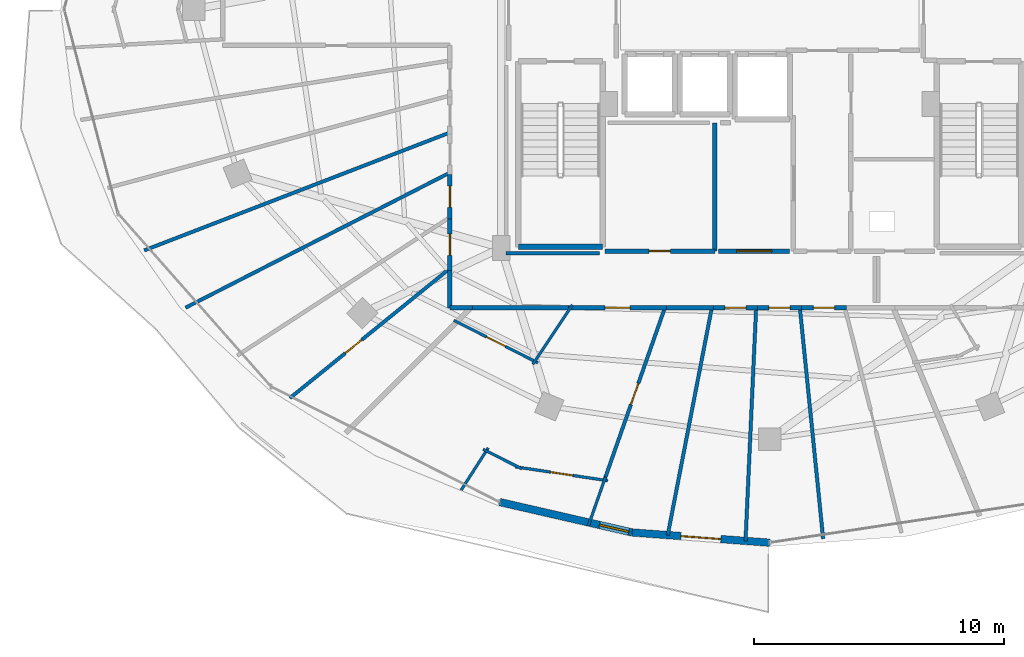
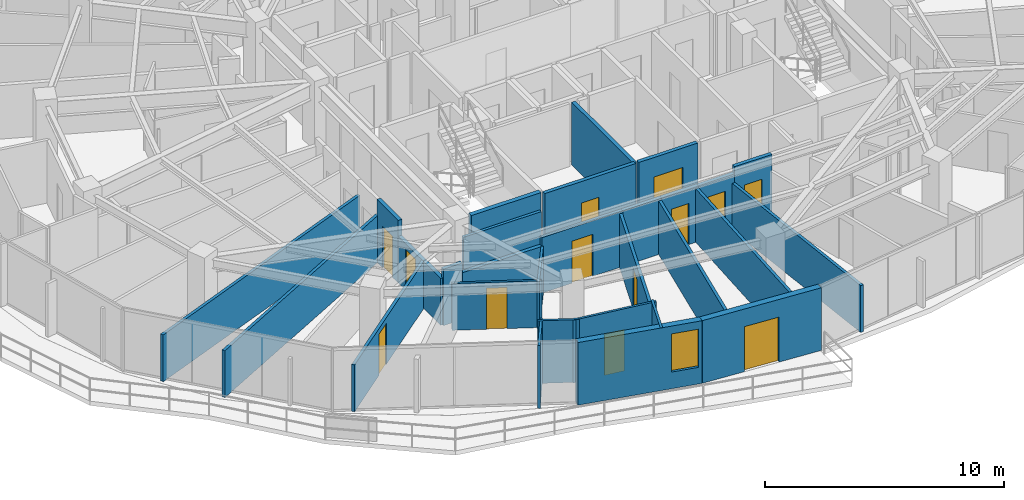
# One storey, part 24 of 33: 30 walls, 13 doors, 1 window, 14 openings.
"""IFC4 building model written with IfcOpenShell, lengths in metres."""

from ifc_helpers import new_model, si_unit, direction, frame, frame_2d, origin, place, context, subcontext, project, spatial, rectangle, extrude, material, layer, layer_set, type_object, element, fill, save


model = new_model("IFC4")

# Units and contexts
model_context = context("Model", 3, precision=1e-05, world=origin(), true_north=direction((0.0, 1.0)))
body_context = subcontext(model_context, "Body", "Model", "MODEL_VIEW")
ifc_project = project(units=[si_unit("LENGTHUNIT", "METRE"), si_unit("AREAUNIT", "SQUARE_METRE"), si_unit("VOLUMEUNIT", "CUBIC_METRE"), si_unit("PLANEANGLEUNIT", "RADIAN"), si_unit("MASSUNIT", "GRAM", prefix="KILO")], contexts=[model_context])

# Site, building, storey
site_placement = place(None, origin())
site = spatial("IfcSite", under=ifc_project, at=site_placement, CompositionType="ELEMENT")
building_placement = place(site_placement, origin())
building = spatial("IfcBuilding", under=site, at=building_placement, Name="Vorneva Point Tower", CompositionType="ELEMENT")
storey_placement = place(building_placement, frame((0.0, 0.0, 221.39990234375)))
storey = spatial("IfcBuildingStorey", under=building, at=storey_placement, Name="L60", CompositionType="ELEMENT", Elevation=221.39990234375)

# Wall, opening, window
ifc_material_1 = material(Name="Precast concrete B50 (C40/50)", Category="concrete")
ifc_layer_1 = layer(ifc_material_1, 0.300048828125)
ifc_layer_set_1 = layer_set([ifc_layer_1], Name="Precast concrete B50 (C40/50)")
wall_type_1 = type_object("IfcWallType", Name="WL-EXT-300", PredefinedType="STANDARD", material=ifc_layer_set_1)
wall_1_placement = place(storey_placement, frame((27.19677734375, 6.275146484375, 0.0), z_axis=(0.0, 0.0, 1.0), x_axis=(0.974684194578, -0.223586047954, 0.0)))
wall_1 = element("IfcWall", 1, at=wall_1_placement, inside=storey, type_object=wall_type_1, Name="L60 Pale-Metal Facade Spandrel Wall 12.1", PredefinedType="STANDARD", context=body_context, shape_type="SweptSolid", body=[
    extrude(rectangle(XDim=5.433349609375, YDim=0.300048828125, at=frame_2d((2.716796875, 0.0))), origin(), (0.0, 0.0, 1.0), 3.2001953125),
])
opening_1_placement = place(wall_1_placement, frame((4.093505859375, 0.0, 0.85009765625)))
opening_1 = element("IfcOpeningElement", 2, at=opening_1_placement, cuts=wall_1, Name="Opening W-04", PredefinedType="OPENING", context=body_context, shape_type="SweptSolid", body=[
    extrude(rectangle(XDim=1.199951171875, YDim=1.949951171875, at=frame_2d((0.60009765625, 0.97509765625))), frame((0.0, 0.1650390625, 0.0), z_axis=(0.0, -1.0, 0.0), x_axis=(1.0, 0.0, 0.0)), (0.0, 0.0, 1.0), 0.329833984375),
])
ifc_material_2 = material(Name="Double low-e laminated glass IGU", Category="glass")
window_type = type_object("IfcWindowType", Name="WN-RES-1200", PartitioningType="SINGLE_PANEL", PredefinedType="WINDOW", material=ifc_material_2)
window_placement = place(opening_1_placement, origin())
window = element("IfcWindow", 3, at=window_placement, inside=storey, type_object=window_type, Name="L60 Dwelling Vision Window 05", OverallHeight=1.949951171875, OverallWidth=1.199951171875, PartitioningType="SINGLE_PANEL", PredefinedType="WINDOW", context=body_context, shape_type="SweptSolid", body=[
    extrude(rectangle(XDim=1.199951171875, YDim=1.949951171875, at=frame_2d((0.60009765625, 0.97509765625))), frame((0.0, 0.030029296875, 0.0), z_axis=(0.0, -1.0, 0.0), x_axis=(1.0, 0.0, 0.0)), (0.0, 0.0, 1.0), 0.06005859375),
])
fill(opening_1, window)

# Wall, opening, door
wall_2_placement = place(storey_placement, frame((32.49267578125, 5.060302734375, 0.0), z_axis=(0.0, 0.0, 1.0), x_axis=(0.997234968529, -0.074312970214, 0.0)))
wall_2 = element("IfcWall", 4, at=wall_2_placement, inside=storey, type_object=wall_type_1, Name="L60 Pale-Metal Facade Spandrel Wall 12.2", PredefinedType="STANDARD", context=body_context, shape_type="SweptSolid", body=[
    extrude(rectangle(XDim=5.522705078125, YDim=0.300048828125, at=frame_2d((2.76123046875, 0.0))), origin(), (0.0, 0.0, 1.0), 3.2001953125),
])
opening_2_placement = place(wall_2_placement, frame((1.961181640625, 0.0, 0.0)))
opening_2 = element("IfcOpeningElement", 5, at=opening_2_placement, cuts=wall_2, Name="Opening BD-01", PredefinedType="OPENING", context=body_context, shape_type="SweptSolid", body=[
    extrude(rectangle(XDim=1.60009765625, YDim=2.300048828125, at=frame_2d((0.800048828125, 1.14990234375))), frame((0.0, 0.1650390625, 0.0), z_axis=(0.0, -1.0, 0.0), x_axis=(1.0, 0.0, 0.0)), (0.0, 0.0, 1.0), 0.329833984375),
])
ifc_material_3 = material(Name="Pale anodised aluminium", Category="aluminium")
door_type_1 = type_object("IfcDoorType", Name="DR-BAL-1600", OperationType="SLIDING_TO_LEFT", PredefinedType="DOOR", material=ifc_material_3)
door_1_placement = place(opening_2_placement, origin())
door_1 = element("IfcDoor", 6, at=door_1_placement, inside=storey, type_object=door_type_1, Name="L60 Balcony Terrace Access Door 12", OperationType="SLIDING_TO_LEFT", OverallHeight=2.300048828125, OverallWidth=1.60009765625, PredefinedType="DOOR", context=body_context, shape_type="SweptSolid", body=[
    extrude(rectangle(XDim=1.60009765625, YDim=2.300048828125, at=frame_2d((0.800048828125, 1.14990234375))), frame((0.0, 0.02490234375, 0.0), z_axis=(0.0, -1.0, 0.0), x_axis=(1.0, 0.0, 0.0)), (0.0, 0.0, 1.0), 0.050048828125),
])
fill(opening_2, door_1)

# Wall
ifc_material_4 = material(Name="Fire-rated acoustic gypsum stud partition", Category="gypsum")
ifc_layer_2 = layer(ifc_material_4, 0.110107421875)
ifc_layer_set_2 = layer_set([ifc_layer_2], Name="Fire-rated acoustic gypsum stud partition")
wall_type_2 = type_object("IfcWallType", Name="WL-PART-110", PredefinedType="PARTITIONING", material=ifc_layer_set_2)
wall_3_placement = place(storey_placement, frame((30.103759765625, 14.16650390625, 0.0), z_axis=(0.0, 0.0, 1.0), x_axis=(-0.555055621343, -0.831813234576, 0.0)))
element("IfcWall", 7, at=wall_3_placement, inside=storey, type_object=wall_type_2, Name="L60 Interior Partition 135", PredefinedType="PARTITIONING", context=body_context, shape_type="SweptSolid", body=[
    extrude(rectangle(XDim=2.852783203125, YDim=0.110107421875, at=frame_2d((1.42626953125, 0.0))), origin(), (0.0, 0.0, 1.0), 2.39208984375),
])

# Wall, opening, door
wall_4_placement = place(storey_placement, frame((28.722900390625, 11.8466796875, 0.0), z_axis=(0.0, 0.0, 1.0), x_axis=(-0.892449406128, 0.451147489743, 0.0)))
wall_4 = element("IfcWall", 8, at=wall_4_placement, inside=storey, type_object=wall_type_2, Name="L60 Interior Partition 136", PredefinedType="PARTITIONING", context=body_context, shape_type="SweptSolid", body=[
    extrude(rectangle(XDim=3.76904296875, YDim=0.110107421875, at=frame_2d((1.884521484375, 0.0))), origin(), (0.0, 0.0, 1.0), 2.39208984375),
])
opening_3_placement = place(wall_4_placement, frame((1.459716796875, 0.0, 0.0)))
opening_3 = element("IfcOpeningElement", 9, at=opening_3_placement, cuts=wall_4, Name="Opening ID-02", PredefinedType="OPENING", context=body_context, shape_type="SweptSolid", body=[
    extrude(rectangle(XDim=0.85009765625, YDim=2.10009765625, at=frame_2d((0.425048828125, 1.050048828125))), frame((0.0, 0.06982421875, 0.0), z_axis=(0.0, -1.0, 0.0), x_axis=(1.0, 0.0, 0.0)), (0.0, 0.0, 1.0), 0.139892578125),
])
ifc_material_5 = material(Name="Engineered oak fire-rated door leaf", Category="wood")
door_type_2 = type_object("IfcDoorType", Name="DR-BATH-850", OperationType="NOTDEFINED", PredefinedType="DOOR", material=ifc_material_5)
door_2_placement = place(opening_3_placement, origin())
door_2 = element("IfcDoor", 10, at=door_2_placement, inside=storey, type_object=door_type_2, Name="L60 Door Living and Dining Room L60-04 / Bathroom L60-04", OperationType="SINGLE_SWING_RIGHT", OverallHeight=2.10009765625, OverallWidth=0.85009765625, PredefinedType="DOOR", context=body_context, shape_type="SweptSolid", body=[
    extrude(rectangle(XDim=0.85009765625, YDim=2.10009765625, at=frame_2d((0.425048828125, 1.050048828125))), frame((0.0, 0.02490234375, 0.0), z_axis=(0.0, -1.0, 0.0), x_axis=(1.0, 0.0, 0.0)), (0.0, 0.0, 1.0), 0.050048828125),
])
fill(opening_3, door_2)

# Wall
wall_5_placement = place(storey_placement, frame((26.531982421875, 8.38720703125, 0.0), z_axis=(0.0, 0.0, 1.0), x_axis=(0.892649776719, -0.450750902521, 0.0)))
element("IfcWall", 11, at=wall_5_placement, inside=storey, type_object=wall_type_2, Name="L60 Interior Partition 137", PredefinedType="PARTITIONING", context=body_context, shape_type="SweptSolid", body=[
    extrude(rectangle(XDim=1.737548828125, YDim=0.110107421875, at=frame_2d((0.86865234375, 0.0))), origin(), (0.0, 0.0, 1.0), 3.2001953125),
])

# Wall, opening, door
wall_6_placement = place(storey_placement, frame((27.819580078125, 7.687744140625, 0.0), z_axis=(0.0, 0.0, 1.0), x_axis=(0.988870202363, -0.148780788002, 0.0)))
wall_6 = element("IfcWall", 12, at=wall_6_placement, inside=storey, type_object=wall_type_2, Name="L60 Interior Partition 138", PredefinedType="PARTITIONING", context=body_context, shape_type="SweptSolid", body=[
    extrude(rectangle(XDim=3.741455078125, YDim=0.110107421875, at=frame_2d((1.87060546875, 0.0))), origin(), (0.0, 0.0, 1.0), 3.2001953125),
])
opening_4_placement = place(wall_6_placement, frame((1.420654296875, 0.0, 0.0)))
opening_4 = element("IfcOpeningElement", 13, at=opening_4_placement, cuts=wall_6, Name="Opening ID-01", PredefinedType="OPENING", context=body_context, shape_type="SweptSolid", body=[
    extrude(rectangle(XDim=0.89990234375, YDim=2.10009765625, at=frame_2d((0.449951171875, 1.050048828125))), frame((0.0, 0.06982421875, 0.0), z_axis=(0.0, -1.0, 0.0), x_axis=(1.0, 0.0, 0.0)), (0.0, 0.0, 1.0), 0.139892578125),
])
door_type_3 = type_object("IfcDoorType", Name="DR-ROOM-900", OperationType="NOTDEFINED", PredefinedType="DOOR", material=ifc_material_5)
door_3_placement = place(opening_4_placement, origin())
door_3 = element("IfcDoor", 14, at=door_3_placement, inside=storey, type_object=door_type_3, Name="L60 Door Living and Dining Room L60-04 / Kitchen L60-04", OperationType="SINGLE_SWING_LEFT", OverallHeight=2.10009765625, OverallWidth=0.89990234375, PredefinedType="DOOR", context=body_context, shape_type="SweptSolid", body=[
    extrude(rectangle(XDim=0.89990234375, YDim=2.10009765625, at=frame_2d((0.449951171875, 1.050048828125))), frame((0.0, 0.02490234375, 0.0), z_axis=(0.0, -1.0, 0.0), x_axis=(1.0, 0.0, 0.0)), (0.0, 0.0, 1.0), 0.050048828125),
])
fill(opening_4, door_3)

# Walls
wall_7_placement = place(storey_placement, frame((25.6494140625, 6.753173828125, 0.0), z_axis=(0.0, 0.0, 1.0), x_axis=(0.539927041948, 0.841711820859, 0.0)))
element("IfcWall", 15, at=wall_7_placement, inside=storey, type_object=wall_type_2, Name="L60 Interior Partition 139", PredefinedType="PARTITIONING", context=body_context, shape_type="SweptSolid", body=[
    extrude(rectangle(XDim=2.00634765625, YDim=0.110107421875, at=frame_2d((1.003173828125, 0.0))), origin(), (0.0, 0.0, 1.0), 3.2001953125),
])
wall_8_placement = place(storey_placement, frame((30.737548828125, 5.32080078125, 0.0), z_axis=(0.0, 0.0, 1.0), x_axis=(0.33153115085, 0.943444272872, 0.0)))
element("IfcWall", 16, at=wall_8_placement, inside=storey, type_object=wall_type_2, Name="L60 Interior Partition 141", PredefinedType="PARTITIONING", context=body_context, shape_type="SweptSolid", body=[
    extrude(rectangle(XDim=2.0810546875, YDim=0.110107421875, at=frame_2d((1.04052734375, 0.0))), origin(), (0.0, 0.0, 1.0), 3.2001953125),
])
ifc_layer_3 = layer(ifc_material_4, 0.139892578125)
ifc_layer_set_3 = layer_set([ifc_layer_3], Name="Fire-rated acoustic gypsum stud partition")
wall_type_3 = type_object("IfcWallType", Name="WL-PART-140", PredefinedType="PARTITIONING", material=ifc_layer_set_3)
wall_9_placement = place(storey_placement, frame((12.968017578125, 16.347900390625, 0.0), z_axis=(0.0, 0.0, 1.0), x_axis=(0.933027024267, 0.35980629787, 0.0)))
element("IfcWall", 17, at=wall_9_placement, inside=storey, type_object=wall_type_3, Name="L60 Interior Partition 130", PredefinedType="PARTITIONING", context=body_context, shape_type="SweptSolid", body=[
    extrude(rectangle(XDim=13.10986328125, YDim=0.139892578125, at=frame_2d((6.554931640625, 0.0))), origin(), (0.0, 0.0, 1.0), 2.39208984375),
])
wall_10_placement = place(storey_placement, frame((14.623046875, 14.055908203125, 0.0), z_axis=(0.0, 0.0, 1.0), x_axis=(0.890500200784, 0.454982848472, 0.0)))
element("IfcWall", 18, at=wall_10_placement, inside=storey, type_object=wall_type_3, Name="L60 Interior Partition 131", PredefinedType="PARTITIONING", context=body_context, shape_type="SweptSolid", body=[
    extrude(rectangle(XDim=11.87744140625, YDim=0.139892578125, at=frame_2d((5.938720703125, 0.0))), origin(), (0.0, 0.0, 1.0), 2.39208984375),
])

# Wall, opening, door
wall_11_placement = place(storey_placement, frame((18.7958984375, 10.43701171875, 0.0), z_axis=(0.0, 0.0, 1.0), x_axis=(0.776906100203, 0.629616479666, 0.0)))
wall_11 = element("IfcWall", 19, at=wall_11_placement, inside=storey, type_object=wall_type_3, Name="L60 Interior Partition 133", PredefinedType="PARTITIONING", context=body_context, shape_type="SweptSolid", body=[
    extrude(rectangle(XDim=8.242919921875, YDim=0.139892578125, at=frame_2d((4.12158203125, 0.0))), origin(), (0.0, 0.0, 1.0), 2.39208984375),
])
opening_5_placement = place(wall_11_placement, frame((2.8564453125, 0.0, 0.0)))
opening_5 = element("IfcOpeningElement", 20, at=opening_5_placement, cuts=wall_11, Name="Opening ID-02", PredefinedType="OPENING", context=body_context, shape_type="SweptSolid", body=[
    extrude(rectangle(XDim=0.85009765625, YDim=2.10009765625, at=frame_2d((0.425048828125, 1.050048828125))), frame((0.0, 0.0849609375, 0.0), z_axis=(0.0, -1.0, 0.0), x_axis=(1.0, 0.0, 0.0)), (0.0, 0.0, 1.0), 0.169677734375),
])
door_4_placement = place(opening_5_placement, origin())
door_4 = element("IfcDoor", 21, at=door_4_placement, inside=storey, type_object=door_type_2, Name="L60 Access Door Bedroom L60-03.6", OperationType="SINGLE_SWING_LEFT", OverallHeight=2.10009765625, OverallWidth=0.85009765625, PredefinedType="DOOR", context=body_context, shape_type="SweptSolid", body=[
    extrude(rectangle(XDim=0.85009765625, YDim=2.10009765625, at=frame_2d((0.425048828125, 1.050048828125))), frame((0.0, 0.02490234375, 0.0), z_axis=(0.0, -1.0, 0.0), x_axis=(1.0, 0.0, 0.0)), (0.0, 0.0, 1.0), 0.050048828125),
])
fill(opening_5, door_4)

wall_12_placement = place(storey_placement, frame((31.381103515625, 7.152099609375, 0.0), z_axis=(0.0, 0.0, 1.0), x_axis=(0.331275500224, 0.943534070901, 0.0)))
wall_12 = element("IfcWall", 22, at=wall_12_placement, inside=storey, type_object=wall_type_3, Name="L60 Interior Partition 140", PredefinedType="PARTITIONING", context=body_context, shape_type="SweptSolid", body=[
    extrude(rectangle(XDim=7.310791015625, YDim=0.139892578125, at=frame_2d((3.6552734375, 0.0))), origin(), (0.0, 0.0, 1.0), 2.734130859375),
])
opening_6_placement = place(wall_12_placement, frame((3.205322265625, 0.0, 0.0)))
opening_6 = element("IfcOpeningElement", 23, at=opening_6_placement, cuts=wall_12, Name="Opening ID-01", PredefinedType="OPENING", context=body_context, shape_type="SweptSolid", body=[
    extrude(rectangle(XDim=0.89990234375, YDim=2.10009765625, at=frame_2d((0.449951171875, 1.050048828125))), frame((0.0, 0.0849609375, 0.0), z_axis=(0.0, -1.0, 0.0), x_axis=(1.0, 0.0, 0.0)), (0.0, 0.0, 1.0), 0.169677734375),
])
door_5_placement = place(opening_6_placement, origin())
door_5 = element("IfcDoor", 24, at=door_5_placement, inside=storey, type_object=door_type_3, Name="L60 Door Living and Dining Room L60-04 / Master Bedroom L60-04.1", OperationType="SINGLE_SWING_RIGHT", OverallHeight=2.10009765625, OverallWidth=0.89990234375, PredefinedType="DOOR", context=body_context, shape_type="SweptSolid", body=[
    extrude(rectangle(XDim=0.89990234375, YDim=2.10009765625, at=frame_2d((0.449951171875, 1.050048828125))), frame((0.0, 0.02490234375, 0.0), z_axis=(0.0, -1.0, 0.0), x_axis=(1.0, 0.0, 0.0)), (0.0, 0.0, 1.0), 0.050048828125),
])
fill(opening_6, door_5)

# Walls
wall_13_placement = place(storey_placement, frame((33.9169921875, 4.955078125, 0.0), z_axis=(0.0, 0.0, 1.0), x_axis=(0.190396351082, 0.981707303372, 0.0)))
element("IfcWall", 25, at=wall_13_placement, inside=storey, type_object=wall_type_3, Name="L60 Interior Partition 142", PredefinedType="PARTITIONING", context=body_context, shape_type="SweptSolid", body=[
    extrude(rectangle(XDim=9.264404296875, YDim=0.139892578125, at=frame_2d((4.63232421875, 0.0))), origin(), (0.0, 0.0, 1.0), 2.734130859375),
])
wall_14_placement = place(storey_placement, frame((37.030029296875, 4.721923828125, 0.0), z_axis=(0.0, 0.0, 1.0), x_axis=(0.045519142468, 0.998963466634, 0.0)))
element("IfcWall", 26, at=wall_14_placement, inside=storey, type_object=wall_type_3, Name="L60 Interior Partition 143", PredefinedType="PARTITIONING", context=body_context, shape_type="SweptSolid", body=[
    extrude(rectangle(XDim=9.337890625, YDim=0.139892578125, at=frame_2d((4.6689453125, 0.0))), origin(), (0.0, 0.0, 1.0), 2.734130859375),
])
wall_15_placement = place(storey_placement, frame((40.136962890625, 4.81005859375, 0.0), z_axis=(0.0, 0.0, 1.0), x_axis=(-0.100344404998, 0.994952762892, 0.0)))
element("IfcWall", 27, at=wall_15_placement, inside=storey, type_object=wall_type_3, Name="L60 Interior Partition 144", PredefinedType="PARTITIONING", context=body_context, shape_type="SweptSolid", body=[
    extrude(rectangle(XDim=9.286865234375, YDim=0.139892578125, at=frame_2d((4.6435546875, 0.0))), origin(), (0.0, 0.0, 1.0), 2.39208984375),
])
wall_16_placement = place(storey_placement, frame((27.449951171875, 16.239990234375, 0.0), z_axis=(0.0, 0.0, 1.0), x_axis=(1.0, 0.0, 0.0)))
element("IfcWall", 28, at=wall_16_placement, inside=storey, type_object=wall_type_3, Name="L60 Interior Closure Partition 176", PredefinedType="PARTITIONING", context=body_context, shape_type="SweptSolid", body=[
    extrude(rectangle(XDim=3.7451171875, YDim=0.139892578125, at=frame_2d((1.87255859375, 0.0))), origin(), (0.0, 0.0, 1.0), 2.39208984375),
])
ifc_material_6 = material(Name="Autoclaved aerated concrete blockwork", Category="masonry")
ifc_layer_4 = layer(ifc_material_6, 0.179931640625)
ifc_layer_set_4 = layer_set([ifc_layer_4], Name="Autoclaved aerated concrete blockwork")
wall_type_4 = type_object("IfcWallType", Name="WL-PART-180", PredefinedType="PARTITIONING", material=ifc_layer_set_4)
wall_17_placement = place(storey_placement, frame((35.800048828125, 16.320068359375, 0.0), z_axis=(0.0, 0.0, 1.0), x_axis=(0.0, 1.0, 0.0)))
element("IfcWall", 29, at=wall_17_placement, inside=storey, type_object=wall_type_4, Name="L60 Interior Partition 027", PredefinedType="PARTITIONING", context=body_context, shape_type="SweptSolid", body=[
    extrude(rectangle(XDim=5.1298828125, YDim=0.179931640625, at=frame_2d((2.56494140625, 0.0))), origin(), (0.0, 0.0, 1.0), 3.2001953125),
])

# Wall, opening, door
wall_18_placement = place(storey_placement, frame((31.39990234375, 16.320068359375, 0.0), z_axis=(0.0, 0.0, 1.0), x_axis=(1.0, 0.0, 0.0)))
wall_18 = element("IfcWall", 30, at=wall_18_placement, inside=storey, type_object=wall_type_4, Name="L60 Interior Partition 028", PredefinedType="PARTITIONING", context=body_context, shape_type="SweptSolid", body=[
    extrude(rectangle(XDim=4.400146484375, YDim=0.179931640625, at=frame_2d((2.2001953125, 0.0))), origin(), (0.0, 0.0, 1.0), 3.2001953125),
])
opening_7_placement = place(wall_18_placement, frame((1.77490234375, 0.0, 0.0)))
opening_7 = element("IfcOpeningElement", 31, at=opening_7_placement, cuts=wall_18, Name="Opening ID-02", PredefinedType="OPENING", context=body_context, shape_type="SweptSolid", body=[
    extrude(rectangle(XDim=0.85009765625, YDim=2.10009765625, at=frame_2d((0.425048828125, 1.050048828125))), frame((0.0, 0.10498046875, 0.0), z_axis=(0.0, -1.0, 0.0), x_axis=(1.0, 0.0, 0.0)), (0.0, 0.0, 1.0), 0.209716796875),
])
door_6_placement = place(opening_7_placement, origin())
door_6 = element("IfcDoor", 32, at=door_6_placement, inside=storey, type_object=door_type_2, Name="L60 Door Bicycle Gear Store / L60 Circulation Corridor", OperationType="SINGLE_SWING_LEFT", OverallHeight=2.10009765625, OverallWidth=0.85009765625, PredefinedType="DOOR", context=body_context, shape_type="SweptSolid", body=[
    extrude(rectangle(XDim=0.85009765625, YDim=2.10009765625, at=frame_2d((0.425048828125, 1.050048828125))), frame((0.0, 0.02490234375, 0.0), z_axis=(0.0, -1.0, 0.0), x_axis=(1.0, 0.0, 0.0)), (0.0, 0.0, 1.0), 0.050048828125),
])
fill(opening_7, door_6)

wall_19_placement = place(storey_placement, frame((35.949951171875, 16.320068359375, 0.0), z_axis=(0.0, 0.0, 1.0), x_axis=(1.0, 0.0, 0.0)))
wall_19 = element("IfcWall", 33, at=wall_19_placement, inside=storey, type_object=wall_type_4, Name="L60 Interior Partition 029", PredefinedType="PARTITIONING", context=body_context, shape_type="SweptSolid", body=[
    extrude(rectangle(XDim=2.85009765625, YDim=0.179931640625, at=frame_2d((1.425048828125, 0.0))), origin(), (0.0, 0.0, 1.0), 3.2001953125),
])
opening_8_placement = place(wall_19_placement, frame((0.72509765625, 0.0, 0.0)))
opening_8 = element("IfcOpeningElement", 34, at=opening_8_placement, cuts=wall_19, Name="Opening FD-03", PredefinedType="OPENING", context=body_context, shape_type="SweptSolid", body=[
    extrude(rectangle(XDim=1.39990234375, YDim=2.199951171875, at=frame_2d((0.699951171875, 1.10009765625))), frame((0.0, 0.10498046875, 0.0), z_axis=(0.0, -1.0, 0.0), x_axis=(1.0, 0.0, 0.0)), (0.0, 0.0, 1.0), 0.209716796875),
])
ifc_material_7 = material(Name="Fire-rated powder-coated steel", Category="steel")
door_type_4 = type_object("IfcDoorType", Name="DR-PLT-1400", OperationType="DOUBLE_SWING_LEFT", PredefinedType="DOOR", material=ifc_material_7)
door_7_placement = place(opening_8_placement, origin())
door_7 = element("IfcDoor", 35, at=door_7_placement, inside=storey, type_object=door_type_4, Name="L60 Door Telecoms and Data Room / L60 Circulation Corridor", OperationType="DOUBLE_SWING_LEFT", OverallHeight=2.199951171875, OverallWidth=1.39990234375, PredefinedType="DOOR", context=body_context, shape_type="SweptSolid", body=[
    extrude(rectangle(XDim=1.39990234375, YDim=2.199951171875, at=frame_2d((0.699951171875, 1.10009765625))), frame((0.0, 0.02490234375, 0.0), z_axis=(0.0, -1.0, 0.0), x_axis=(1.0, 0.0, 0.0)), (0.0, 0.0, 1.0), 0.050048828125),
])
fill(opening_8, door_7)

wall_20_placement = place(storey_placement, frame((25.199951171875, 19.39306640625, 0.0), z_axis=(0.0, 0.0, 1.0), x_axis=(0.0, -1.0, 0.0)))
wall_20 = element("IfcWall", 36, at=wall_20_placement, inside=storey, type_object=wall_type_4, Name="L60 Interior Partition 057", PredefinedType="PARTITIONING", context=body_context, shape_type="SweptSolid", body=[
    extrude(rectangle(XDim=1.791015625, YDim=0.179931640625, at=frame_2d((0.8955078125, 0.0))), origin(), (0.0, 0.0, 1.0), 3.2001953125),
])
opening_9_placement = place(wall_20_placement, frame((0.470458984375, 0.0, 0.0)))
opening_9 = element("IfcOpeningElement", 37, at=opening_9_placement, cuts=wall_20, Name="Opening ID-02", PredefinedType="OPENING", context=body_context, shape_type="SweptSolid", body=[
    extrude(rectangle(XDim=0.85009765625, YDim=2.10009765625, at=frame_2d((0.425048828125, 1.050048828125))), frame((0.0, 0.10498046875, 0.0), z_axis=(0.0, -1.0, 0.0), x_axis=(1.0, 0.0, 0.0)), (0.0, 0.0, 1.0), 0.209716796875),
])
door_8_placement = place(opening_9_placement, origin())
door_8 = element("IfcDoor", 38, at=door_8_placement, inside=storey, type_object=door_type_2, Name="L60 Access Door L60 Circulation Corridor", OperationType="SINGLE_SWING_LEFT", OverallHeight=2.10009765625, OverallWidth=0.85009765625, PredefinedType="DOOR", context=body_context, shape_type="SweptSolid", body=[
    extrude(rectangle(XDim=0.85009765625, YDim=2.10009765625, at=frame_2d((0.425048828125, 1.050048828125))), frame((0.0, 0.02490234375, 0.0), z_axis=(0.0, -1.0, 0.0), x_axis=(1.0, 0.0, 0.0)), (0.0, 0.0, 1.0), 0.050048828125),
])
fill(opening_9, door_8)

wall_21_placement = place(storey_placement, frame((25.199951171875, 17.60205078125, 0.0), z_axis=(0.0, 0.0, 1.0), x_axis=(0.0, -1.0, 0.0)))
wall_21 = element("IfcWall", 39, at=wall_21_placement, inside=storey, type_object=wall_type_4, Name="L60 Interior Partition 058", PredefinedType="PARTITIONING", context=body_context, shape_type="SweptSolid", body=[
    extrude(rectangle(XDim=2.052001953125, YDim=0.179931640625, at=frame_2d((1.02587890625, 0.0))), origin(), (0.0, 0.0, 1.0), 2.39208984375),
])
opening_10_placement = place(wall_21_placement, frame((0.60107421875, 0.0, 0.0)))
opening_10 = element("IfcOpeningElement", 40, at=opening_10_placement, cuts=wall_21, Name="Opening ID-02", PredefinedType="OPENING", context=body_context, shape_type="SweptSolid", body=[
    extrude(rectangle(XDim=0.85009765625, YDim=2.10009765625, at=frame_2d((0.425048828125, 1.050048828125))), frame((0.0, 0.10498046875, 0.0), z_axis=(0.0, -1.0, 0.0), x_axis=(1.0, 0.0, 0.0)), (0.0, 0.0, 1.0), 0.209716796875),
])
door_9_placement = place(opening_10_placement, origin())
door_9 = element("IfcDoor", 41, at=door_9_placement, inside=storey, type_object=door_type_2, Name="L60 Access Door L60 Circulation Corridor", OperationType="SINGLE_SWING_RIGHT", OverallHeight=2.10009765625, OverallWidth=0.85009765625, PredefinedType="DOOR", context=body_context, shape_type="SweptSolid", body=[
    extrude(rectangle(XDim=0.85009765625, YDim=2.10009765625, at=frame_2d((0.425048828125, 1.050048828125))), frame((0.0, 0.02490234375, 0.0), z_axis=(0.0, -1.0, 0.0), x_axis=(1.0, 0.0, 0.0)), (0.0, 0.0, 1.0), 0.050048828125),
])
fill(opening_10, door_9)

# Walls
wall_22_placement = place(storey_placement, frame((25.199951171875, 15.550048828125, 0.0), z_axis=(0.0, 0.0, 1.0), x_axis=(0.0, -1.0, 0.0)))
element("IfcWall", 42, at=wall_22_placement, inside=storey, type_object=wall_type_4, Name="L60 Interior Partition 059", PredefinedType="PARTITIONING", context=body_context, shape_type="SweptSolid", body=[
    extrude(rectangle(XDim=1.5, YDim=0.179931640625, at=frame_2d((0.75, 0.0))), origin(), (0.0, 0.0, 1.0), 2.39208984375),
])
wall_23_placement = place(storey_placement, frame((25.199951171875, 14.050048828125, 0.0), z_axis=(0.0, 0.0, 1.0), x_axis=(1.0, 0.0, 0.0)))
element("IfcWall", 43, at=wall_23_placement, inside=storey, type_object=wall_type_4, Name="L60 Interior Partition 060", PredefinedType="PARTITIONING", context=body_context, shape_type="SweptSolid", body=[
    extrude(rectangle(XDim=0.91015625, YDim=0.179931640625, at=frame_2d((0.455078125, 0.0))), origin(), (0.0, 0.0, 1.0), 2.88916015625),
])

# Wall, opening, door
wall_24_placement = place(storey_placement, frame((29.9541015625, 14.050048828125, 0.0), z_axis=(0.0, 0.0, 1.0), x_axis=(1.0, 0.0, 0.0)))
wall_24 = element("IfcWall", 44, at=wall_24_placement, inside=storey, type_object=wall_type_4, Name="L60 Interior Partition 061", PredefinedType="PARTITIONING", context=body_context, shape_type="SweptSolid", body=[
    extrude(rectangle(XDim=3.908935546875, YDim=0.179931640625, at=frame_2d((1.95458984375, 0.0))), origin(), (0.0, 0.0, 1.0), 2.833984375),
])
opening_11_placement = place(wall_24_placement, frame((1.45458984375, 0.0, 0.0)))
opening_11 = element("IfcOpeningElement", 45, at=opening_11_placement, cuts=wall_24, Name="Opening UD-01", PredefinedType="OPENING", context=body_context, shape_type="SweptSolid", body=[
    extrude(rectangle(XDim=1.0, YDim=2.14990234375, at=frame_2d((0.5, 1.074951171875))), frame((0.0, 0.10498046875, 0.0), z_axis=(0.0, -1.0, 0.0), x_axis=(1.0, 0.0, 0.0)), (0.0, 0.0, 1.0), 0.209716796875),
])
door_type_5 = type_object("IfcDoorType", Name="DR-UNIT-1000", OperationType="NOTDEFINED", PredefinedType="DOOR", material=ifc_material_5)
door_10_placement = place(opening_11_placement, origin())
door_10 = element("IfcDoor", 46, at=door_10_placement, inside=storey, type_object=door_type_5, Name="L60 Door L60 Circulation Corridor / Living and Dining Room L60-04", OperationType="SINGLE_SWING_RIGHT", OverallHeight=2.14990234375, OverallWidth=1.0, PredefinedType="DOOR", context=body_context, shape_type="SweptSolid", body=[
    extrude(rectangle(XDim=1.0, YDim=2.14990234375, at=frame_2d((0.5, 1.074951171875))), frame((0.0, 0.02490234375, 0.0), z_axis=(0.0, -1.0, 0.0), x_axis=(1.0, 0.0, 0.0)), (0.0, 0.0, 1.0), 0.050048828125),
])
fill(opening_11, door_10)

# Walls
wall_25_placement = place(storey_placement, frame((25.969970703125, 14.050048828125, 0.0), z_axis=(0.0, 0.0, 1.0), x_axis=(1.0, 0.0, 0.0)))
element("IfcWall", 47, at=wall_25_placement, inside=storey, type_object=wall_type_4, Name="L60 Interior Partition 062", PredefinedType="PARTITIONING", context=body_context, shape_type="SweptSolid", body=[
    extrude(rectangle(XDim=4.1240234375, YDim=0.179931640625, at=frame_2d((2.06201171875, 0.0))), origin(), (0.0, 0.0, 1.0), 2.39208984375),
])
wall_26_placement = place(storey_placement, frame((33.863037109375, 14.050048828125, 0.0), z_axis=(0.0, 0.0, 1.0), x_axis=(1.0, 0.0, 0.0)))
element("IfcWall", 48, at=wall_26_placement, inside=storey, type_object=wall_type_4, Name="L60 Interior Partition 063", PredefinedType="PARTITIONING", context=body_context, shape_type="SweptSolid", body=[
    extrude(rectangle(XDim=1.8779296875, YDim=0.179931640625, at=frame_2d((0.93896484375, 0.0))), origin(), (0.0, 0.0, 1.0), 2.833984375),
])

# Wall, opening, door
wall_27_placement = place(storey_placement, frame((35.740966796875, 14.050048828125, 0.0), z_axis=(0.0, 0.0, 1.0), x_axis=(1.0, 0.0, 0.0)))
wall_27 = element("IfcWall", 49, at=wall_27_placement, inside=storey, type_object=wall_type_4, Name="L60 Interior Partition 064", PredefinedType="PARTITIONING", context=body_context, shape_type="SweptSolid", body=[
    extrude(rectangle(XDim=1.77392578125, YDim=0.179931640625, at=frame_2d((0.886962890625, 0.0))), origin(), (0.0, 0.0, 1.0), 2.833984375),
])
opening_12_placement = place(wall_27_placement, frame((0.4619140625, 0.0, 0.0)))
opening_12 = element("IfcOpeningElement", 50, at=opening_12_placement, cuts=wall_27, Name="Opening ID-02", PredefinedType="OPENING", context=body_context, shape_type="SweptSolid", body=[
    extrude(rectangle(XDim=0.85009765625, YDim=2.10009765625, at=frame_2d((0.425048828125, 1.050048828125))), frame((0.0, 0.10498046875, 0.0), z_axis=(0.0, -1.0, 0.0), x_axis=(1.0, 0.0, 0.0)), (0.0, 0.0, 1.0), 0.209716796875),
])
door_11_placement = place(opening_12_placement, origin())
door_11 = element("IfcDoor", 51, at=door_11_placement, inside=storey, type_object=door_type_2, Name="L60 Access Door L60 Circulation Corridor", OperationType="SINGLE_SWING_LEFT", OverallHeight=2.10009765625, OverallWidth=0.85009765625, PredefinedType="DOOR", context=body_context, shape_type="SweptSolid", body=[
    extrude(rectangle(XDim=0.85009765625, YDim=2.10009765625, at=frame_2d((0.425048828125, 1.050048828125))), frame((0.0, 0.02490234375, 0.0), z_axis=(0.0, -1.0, 0.0), x_axis=(1.0, 0.0, 0.0)), (0.0, 0.0, 1.0), 0.050048828125),
])
fill(opening_12, door_11)

wall_28_placement = place(storey_placement, frame((37.514892578125, 14.050048828125, 0.0), z_axis=(0.0, 0.0, 1.0), x_axis=(1.0, 0.0, 0.0)))
wall_28 = element("IfcWall", 52, at=wall_28_placement, inside=storey, type_object=wall_type_4, Name="L60 Interior Partition 065", PredefinedType="PARTITIONING", context=body_context, shape_type="SweptSolid", body=[
    extrude(rectangle(XDim=1.75, YDim=0.179931640625, at=frame_2d((0.875, 0.0))), origin(), (0.0, 0.0, 1.0), 2.833984375),
])
opening_13_placement = place(wall_28_placement, frame((0.449951171875, 0.0, 0.0)))
opening_13 = element("IfcOpeningElement", 53, at=opening_13_placement, cuts=wall_28, Name="Opening ID-02", PredefinedType="OPENING", context=body_context, shape_type="SweptSolid", body=[
    extrude(rectangle(XDim=0.85009765625, YDim=2.10009765625, at=frame_2d((0.425048828125, 1.050048828125))), frame((0.0, 0.10498046875, 0.0), z_axis=(0.0, -1.0, 0.0), x_axis=(1.0, 0.0, 0.0)), (0.0, 0.0, 1.0), 0.209716796875),
])
door_12_placement = place(opening_13_placement, origin())
door_12 = element("IfcDoor", 54, at=door_12_placement, inside=storey, type_object=door_type_2, Name="L60 Access Door L60 Circulation Corridor", OperationType="SINGLE_SWING_RIGHT", OverallHeight=2.10009765625, OverallWidth=0.85009765625, PredefinedType="DOOR", context=body_context, shape_type="SweptSolid", body=[
    extrude(rectangle(XDim=0.85009765625, YDim=2.10009765625, at=frame_2d((0.425048828125, 1.050048828125))), frame((0.0, 0.02490234375, 0.0), z_axis=(0.0, -1.0, 0.0), x_axis=(1.0, 0.0, 0.0)), (0.0, 0.0, 1.0), 0.050048828125),
])
fill(opening_13, door_12)

wall_29_placement = place(storey_placement, frame((39.264892578125, 14.050048828125, 0.0), z_axis=(0.0, 0.0, 1.0), x_axis=(1.0, 0.0, 0.0)))
wall_29 = element("IfcWall", 55, at=wall_29_placement, inside=storey, type_object=wall_type_4, Name="L60 Interior Partition 066", PredefinedType="PARTITIONING", context=body_context, shape_type="SweptSolid", body=[
    extrude(rectangle(XDim=1.80517578125, YDim=0.179931640625, at=frame_2d((0.902587890625, 0.0))), origin(), (0.0, 0.0, 1.0), 3.2001953125),
])
opening_14_placement = place(wall_29_placement, frame((0.4775390625, 0.0, 0.0)))
opening_14 = element("IfcOpeningElement", 56, at=opening_14_placement, cuts=wall_29, Name="Opening ID-02", PredefinedType="OPENING", context=body_context, shape_type="SweptSolid", body=[
    extrude(rectangle(XDim=0.85009765625, YDim=2.10009765625, at=frame_2d((0.425048828125, 1.050048828125))), frame((0.0, 0.10498046875, 0.0), z_axis=(0.0, -1.0, 0.0), x_axis=(1.0, 0.0, 0.0)), (0.0, 0.0, 1.0), 0.209716796875),
])
door_13_placement = place(opening_14_placement, origin())
door_13 = element("IfcDoor", 57, at=door_13_placement, inside=storey, type_object=door_type_2, Name="L60 Access Door L60 Circulation Corridor", OperationType="SINGLE_SWING_LEFT", OverallHeight=2.10009765625, OverallWidth=0.85009765625, PredefinedType="DOOR", context=body_context, shape_type="SweptSolid", body=[
    extrude(rectangle(XDim=0.85009765625, YDim=2.10009765625, at=frame_2d((0.425048828125, 1.050048828125))), frame((0.0, 0.02490234375, 0.0), z_axis=(0.0, -1.0, 0.0), x_axis=(1.0, 0.0, 0.0)), (0.0, 0.0, 1.0), 0.050048828125),
])
fill(opening_14, door_13)

# Wall
ifc_material_8 = material(Name="Concrete B50 (C40/50)", Category="concrete")
ifc_layer_5 = layer(ifc_material_8, 0.219970703125)
ifc_layer_set_5 = layer_set([ifc_layer_5], Name="Concrete B50 (C40/50)")
wall_type_5 = type_object("IfcWallType", Name="WL-SHFT-220", PredefinedType="SOLIDWALL", material=ifc_layer_set_5)
wall_30_placement = place(storey_placement, frame((31.31005859375, 16.489990234375, 0.0), z_axis=(0.0, 0.0, 1.0), x_axis=(-1.0, 0.0, 0.0)))
element("IfcWall", 58, at=wall_30_placement, inside=storey, type_object=wall_type_5, Name="L60 Exit Stair ST1 Shaft Wall far", PredefinedType="SOLIDWALL", context=body_context, shape_type="SweptSolid", body=[
    extrude(rectangle(XDim=3.3701171875, YDim=0.219970703125, at=frame_2d((1.68505859375, 0.0))), origin(), (0.0, 0.0, 1.0), 3.2001953125),
])

save(model, "model.ifc")
